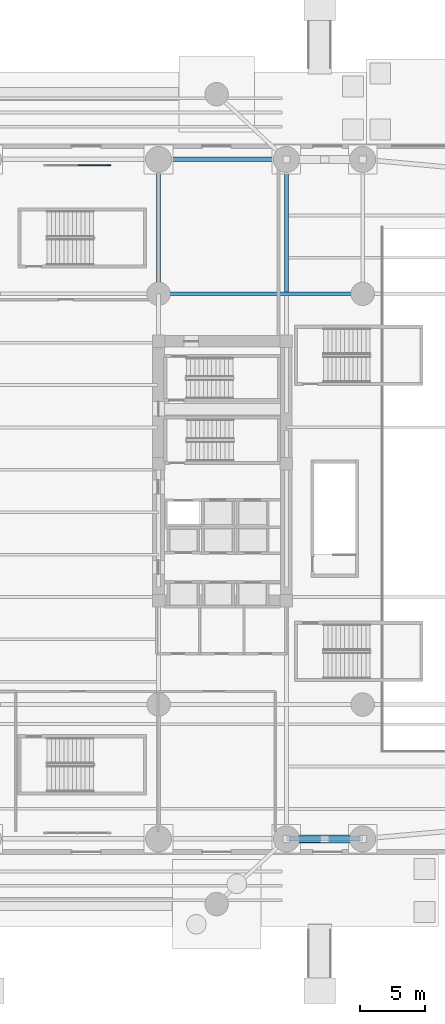
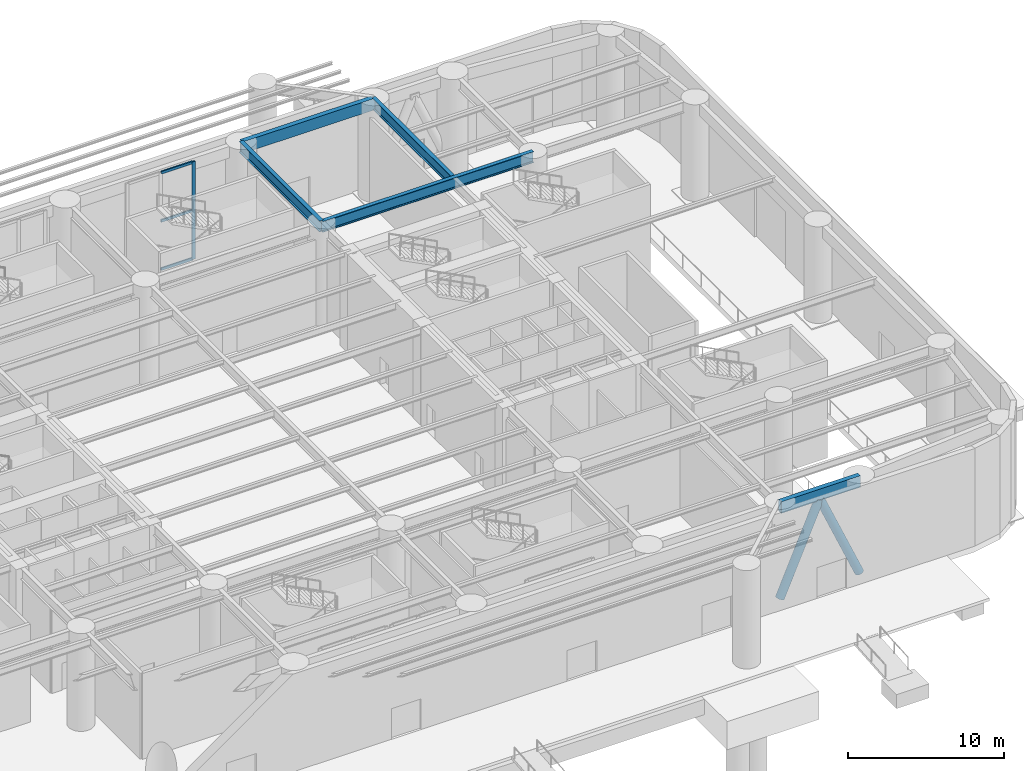
# One storey, part 6 of 25: 6 members, 5 beams, 1 element without a shape of its own.
"""IFC4 building model written with IfcOpenShell, lengths in metres."""

from ifc_helpers import new_model, si_unit, direction, frame, origin, origin_2d, place, context, subcontext, project, spatial, rectangle, hollow_rectangle, hollow_circle, i_section, extrude, material, material_profile, profile_set, type_object, element, aggregate, save


model = new_model("IFC4")

# Units and contexts
model_context = context("Model", 3, precision=1e-05, world=origin(), true_north=direction((0.0, 1.0)))
body_context = subcontext(model_context, "Body", "Model", "MODEL_VIEW")
ifc_project = project(units=[si_unit("LENGTHUNIT", "METRE"), si_unit("AREAUNIT", "SQUARE_METRE"), si_unit("VOLUMEUNIT", "CUBIC_METRE"), si_unit("PLANEANGLEUNIT", "RADIAN"), si_unit("MASSUNIT", "GRAM", prefix="KILO")], contexts=[model_context])

# Site, building, storey
site_placement = place(None, origin())
site = spatial("IfcSite", under=ifc_project, at=site_placement, CompositionType="ELEMENT")
building_placement = place(site_placement, origin())
building = spatial("IfcBuilding", under=site, at=building_placement, Name="Kolvaren Arena Tower", CompositionType="ELEMENT")
storey_placement = place(building_placement, origin())
storey = spatial("IfcBuildingStorey", under=building, at=storey_placement, Name="L00", CompositionType="ELEMENT", Elevation=0.0)

# Curtain wall, members
ifc_material_1 = material(Name="Anodised aluminium unitised curtain wall", Category="aluminium")
curtain_wall_type = type_object("IfcCurtainWallType", Name="CW-SYS-01", PredefinedType="USERDEFINED", material=ifc_material_1)
curtain_wall_placement = place(storey_placement, origin())
curtain_wall = element("IfcCurtainWall", 1, at=curtain_wall_placement, inside=storey, type_object=curtain_wall_type, Name="Ground Concourse Unitised Curtain Wall (L00)", ObjectType="UNITISED CURTAIN WALL", PredefinedType="USERDEFINED")
ifc_material_2 = material(Name="Anodised aluminium 6063-T6", Category="aluminium")
ifc_material_profile_1 = material_profile(ifc_material_2, rectangle(XDim=0.10009765625, YDim=0.239990234375, at=origin_2d()), Name="ALU-100x240")
ifc_profile_set_1 = profile_set([ifc_material_profile_1], Name="Anodised aluminium 6063-T6")
member_type_1 = type_object("IfcMemberType", Name="CWM-HVY", PredefinedType="MULLION", material=ifc_profile_set_1)
member_1_placement = place(storey_placement, frame((46.75, 52.85009765625, 0.0), z_axis=(0.0, 0.0, 1.0), x_axis=(0.0, 1.0, 0.0)))
member_1 = element("IfcMember", 2, at=member_1_placement, type_object=member_type_1, Name="CW1 mullion 3", PredefinedType="MULLION", context=body_context, shape_type="SweptSolid", body=[
    extrude(rectangle(XDim=0.10009765625, YDim=0.239990234375, at=origin_2d()), origin(), (0.0, 0.0, 1.0), 7.64990234375),
])
ifc_material_profile_2 = material_profile(ifc_material_2, rectangle(XDim=0.10009765625, YDim=0.199951171875, at=origin_2d()), Name="ALU-100x200")
ifc_profile_set_2 = profile_set([ifc_material_profile_2], Name="Anodised aluminium 6063-T6")
member_type_2 = type_object("IfcMemberType", Name="CWT-HVY", PredefinedType="USERDEFINED", material=ifc_profile_set_2)
member_2_placement = place(storey_placement, frame((44.35009765625, 52.85009765625, 0.050048828125), z_axis=(1.0, 0.0, 0.0), x_axis=(0.0, 1.0, 0.0)))
member_2 = element("IfcMember", 3, at=member_2_placement, type_object=member_type_2, Name="CW1 transom 2.1", ObjectType="TRANSOM", PredefinedType="USERDEFINED", context=body_context, shape_type="SweptSolid", body=[
    extrude(rectangle(XDim=0.10009765625, YDim=0.199951171875, at=origin_2d()), origin(), (0.0, 0.0, 1.0), 2.349853515625),
])
member_3_placement = place(storey_placement, frame((44.35009765625, 52.85009765625, 3.824951171875), z_axis=(1.0, 0.0, 0.0), x_axis=(0.0, 1.0, 0.0)))
member_3 = element("IfcMember", 4, at=member_3_placement, type_object=member_type_2, Name="CW1 transom 2.2", ObjectType="TRANSOM", PredefinedType="USERDEFINED", context=body_context, shape_type="SweptSolid", body=[
    extrude(rectangle(XDim=0.10009765625, YDim=0.199951171875, at=origin_2d()), origin(), (0.0, 0.0, 1.0), 2.349853515625),
])
member_4_placement = place(storey_placement, frame((44.35009765625, 52.85009765625, 7.60009765625), z_axis=(1.0, 0.0, 0.0), x_axis=(0.0, 1.0, 0.0)))
member_4 = element("IfcMember", 5, at=member_4_placement, type_object=member_type_2, Name="CW1 transom 2.3", ObjectType="TRANSOM", PredefinedType="USERDEFINED", context=body_context, shape_type="SweptSolid", body=[
    extrude(rectangle(XDim=0.10009765625, YDim=0.199951171875, at=origin_2d()), origin(), (0.0, 0.0, 1.0), 2.349853515625),
])
aggregate(curtain_wall, [member_1, member_2, member_3, member_4])

# Members
ifc_material_3 = material(Name="Steel CSA G40.21 350WT", Category="steel")
ifc_material_profile_3 = material_profile(ifc_material_3, hollow_circle(Radius=0.304931640625, WallThickness=0.028076171875, at=origin_2d()), Name="CHS 610x28")
ifc_profile_set_3 = profile_set([ifc_material_profile_3], Name="Steel CSA G40.21 350WT")
member_type_3 = type_object("IfcMemberType", Name="EXO-STRUT1", PredefinedType="STRUT", material=ifc_profile_set_3)
for number, where, z_axis, x_axis, name in (
    (6, (60.35009765625, 1.199951171875, 0.050048828125), (0.396847792712, 0.0, 0.917884431407), (0.0, 1.0, 0.0), "Stilt Podium Inclined Strut 3"),
    (7, (66.199951171875, 1.199951171875, 0.050048828125), (-0.39687570109, 0.0, 0.917872364702), (0.0, -1.0, 0.0), "Stilt Podium Inclined Strut 4"),
):
    element("IfcMember", number, at=place(storey_placement, frame(where, z_axis=z_axis, x_axis=x_axis)), inside=storey, type_object=member_type_3, Name=name, PredefinedType="STRUT", context=body_context, shape_type="SweptSolid", body=[
        extrude(hollow_circle(Radius=0.304931640625, WallThickness=0.028076171875, at=origin_2d()), origin(), (0.0, 0.0, 1.0), 7.3701171875),
    ])

# Beams
ifc_material_4 = material(Name="Steel CSA G40.21 350W", Category="steel")
ifc_material_profile_4 = material_profile(ifc_material_4, i_section(OverallWidth=0.2919921875, OverallDepth=0.85498046875, WebThickness=0.02099609375, FlangeThickness=0.03564453125, FilletRadius=0.01806640625, at=origin_2d()), Name="W840x299")
ifc_profile_set_4 = profile_set([ifc_material_profile_4], Name="Steel CSA G40.21 350W")
beam_type_1 = type_object("IfcBeamType", Name="GIRD-P1", PredefinedType="BEAM", material=ifc_profile_set_4)
beam_1_placement = place(storey_placement, frame((50.550048828125, 43.0, 7.222412109375), z_axis=(1.0, 0.0, 0.0), x_axis=(0.0, 1.0, 0.0)))
element("IfcBeam", 8, at=beam_1_placement, inside=storey, type_object=beam_type_1, Name="Primary Floor Girder (L00)", PredefinedType="BEAM", context=body_context, shape_type="SweptSolid", body=[
    extrude(i_section(OverallWidth=0.2919921875, OverallDepth=0.85498046875, WebThickness=0.02099609375, FlangeThickness=0.03564453125, FilletRadius=0.01806640625, at=origin_2d()), origin(), (0.0, 0.0, 1.0), 15.64990234375),
])
beam_2_placement = place(storey_placement, frame((50.550048828125, 43.0, 7.222412109375), z_axis=(0.0, 1.0, 0.0), x_axis=(-1.0, 0.0, 0.0)))
element("IfcBeam", 9, at=beam_2_placement, inside=storey, type_object=beam_type_1, Name="Primary Floor Girder (L00)", PredefinedType="BEAM", context=body_context, shape_type="SweptSolid", body=[
    extrude(i_section(OverallWidth=0.2919921875, OverallDepth=0.85498046875, WebThickness=0.02099609375, FlangeThickness=0.03564453125, FilletRadius=0.01806640625, at=origin_2d()), origin(), (0.0, 0.0, 1.0), 10.300048828125),
])
beam_3_placement = place(storey_placement, frame((60.35009765625, 43.14599609375, 7.222412109375), z_axis=(0.0, 1.0, 0.0), x_axis=(-1.0, 0.0, 0.0)))
element("IfcBeam", 10, at=beam_3_placement, inside=storey, type_object=beam_type_1, Name="Primary Floor Girder (L00)", PredefinedType="BEAM", context=body_context, shape_type="SweptSolid", body=[
    extrude(i_section(OverallWidth=0.2919921875, OverallDepth=0.85498046875, WebThickness=0.02099609375, FlangeThickness=0.03564453125, FilletRadius=0.01806640625, at=origin_2d()), origin(), (0.0, 0.0, 1.0), 10.154052734375),
])
ifc_material_profile_5 = material_profile(ifc_material_3, hollow_rectangle(XDim=0.35009765625, YDim=0.89990234375, WallThickness=0.02001953125, at=origin_2d()), Name="HSS 900x350x20")
ifc_profile_set_5 = profile_set([ifc_material_profile_5], Name="Steel CSA G40.21 350WT")
beam_type_2 = type_object("IfcBeamType", Name="SPAND-01", PredefinedType="SPANDREL", material=ifc_profile_set_5)
beam_4_placement = place(storey_placement, frame((60.35009765625, 1.199951171875, 7.199951171875), z_axis=(1.0, 0.0, 0.0), x_axis=(0.0, 1.0, 0.0)))
element("IfcBeam", 11, at=beam_4_placement, inside=storey, type_object=beam_type_2, Name="Perimeter Spandrel Beam (L00)", PredefinedType="SPANDREL", context=body_context, shape_type="SweptSolid", body=[
    extrude(hollow_rectangle(XDim=0.35009765625, YDim=0.89990234375, WallThickness=0.02001953125, at=origin_2d()), origin(), (0.0, 0.0, 1.0), 5.849853515625),
])
beam_5_placement = place(storey_placement, frame((60.35009765625, 53.300048828125, 7.199951171875), z_axis=(-1.0, 0.0, 0.0), x_axis=(0.0, -1.0, 0.0)))
element("IfcBeam", 12, at=beam_5_placement, inside=storey, type_object=beam_type_2, Name="Perimeter Spandrel Beam (L00)", PredefinedType="SPANDREL", context=body_context, shape_type="SweptSolid", body=[
    extrude(hollow_rectangle(XDim=0.35009765625, YDim=0.89990234375, WallThickness=0.02001953125, at=origin_2d()), origin(), (0.0, 0.0, 1.0), 9.800048828125),
])

save(model, "model.ifc")
